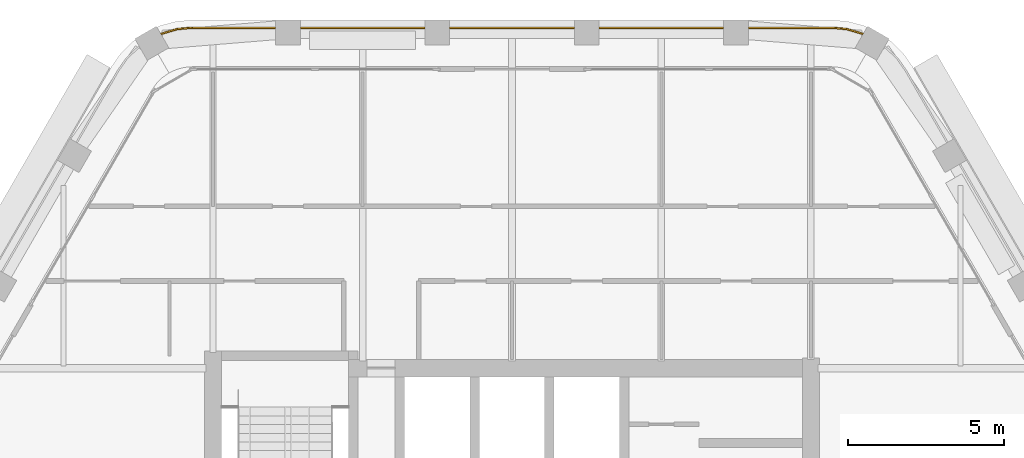
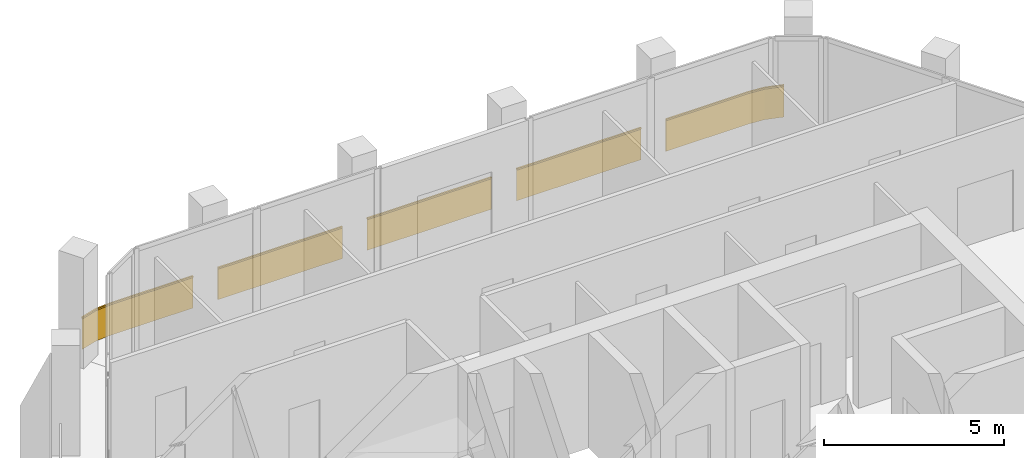
# One storey, part 14 of 14: 1 railing.
"""IFC4 building model written with IfcOpenShell, lengths in metres."""

from ifc_helpers import new_model, si_unit, direction, frame, frame_2d, origin, origin_2d, place, context, subcontext, project, spatial, rectangle, extrude, material, type_object, element, save


model = new_model("IFC4")

# Units and contexts
model_context = context("Model", 3, precision=1e-05, world=origin(), true_north=direction((0.0, 1.0)))
body_context = subcontext(model_context, "Body", "Model", "MODEL_VIEW")
ifc_project = project(units=[si_unit("LENGTHUNIT", "METRE"), si_unit("AREAUNIT", "SQUARE_METRE"), si_unit("VOLUMEUNIT", "CUBIC_METRE"), si_unit("PLANEANGLEUNIT", "RADIAN"), si_unit("MASSUNIT", "GRAM", prefix="KILO")], contexts=[model_context])

# Site, building, storey
site_placement = place(None, origin())
site = spatial("IfcSite", under=ifc_project, at=site_placement, CompositionType="ELEMENT")
building_placement = place(site_placement, origin())
building = spatial("IfcBuilding", under=site, at=building_placement, Name="Kolab Exchange Tower", CompositionType="ELEMENT")
storey_placement = place(building_placement, frame((0.0, 0.0, 242.300048828125)))
storey = spatial("IfcBuildingStorey", under=building, at=storey_placement, Name="L53", CompositionType="ELEMENT", Elevation=242.300048828125)

# Railing
ifc_material = material(Name="Steel S235", Category="steel")
railing_type = type_object("IfcRailingType", Name="GUARD 1100 GLASS BALUSTRADE AND STEEL TOP RAIL", PredefinedType="GUARDRAIL", material=ifc_material)
railing_placement = place(storey_placement, frame((11.280517578125, 20.335205078125, 0.0)))
element("IfcRailing", 1, at=railing_placement, inside=storey, type_object=railing_type, Name="Guard", PredefinedType="GUARDRAIL", context=body_context, shape_type="SweptSolid", body=[
    extrude(rectangle(XDim=0.05, YDim=0.05, at=origin_2d()), frame((0.0, 0.0, 1.0751953125), z_axis=(-0.959212061764, 0.282687496304, 0.0), x_axis=(-0.282687496304, -0.959212061764, 0.0)), (0.0, 0.0, 1.0), 0.557861328125),
    extrude(rectangle(XDim=0.012, YDim=1.05009765625, at=frame_2d((0.0, 0.525146484375))), frame((0.0, 0.0, 0.0), z_axis=(-0.959212061764, 0.282687496304, 0.0), x_axis=(-0.282687496304, -0.959212061764, 0.0)), (0.0, 0.0, 1.0), 0.557861328125),
    extrude(rectangle(XDim=0.05, YDim=0.05, at=origin_2d()), frame((-0.53515625, 0.15771484375, 1.0751953125), z_axis=(-0.996196482496, 0.087135344505, 0.0), x_axis=(-0.087135344505, -0.996196482496, 0.0)), (0.0, 0.0, 1.0), 0.47900390625),
    extrude(rectangle(XDim=0.012, YDim=1.05009765625, at=frame_2d((0.0, 0.525146484375))), frame((-0.53515625, 0.15771484375, 0.0), z_axis=(-0.996196482496, 0.087135344505, 0.0), x_axis=(-0.087135344505, -0.996196482496, 0.0)), (0.0, 0.0, 1.0), 0.47900390625),
    extrude(rectangle(XDim=0.05, YDim=0.05, at=origin_2d()), frame((-1.012451171875, 0.199462890625, 1.0751953125), z_axis=(-1.0, 0.0, 0.0), x_axis=(0.0, -1.0, 0.0)), (0.0, 0.0, 1.0), 2.66796875),
    extrude(rectangle(XDim=0.012, YDim=1.05009765625, at=frame_2d((0.0, 0.525146484375))), frame((-1.012451171875, 0.199462890625, 0.0), z_axis=(-1.0, 0.0, 0.0), x_axis=(0.0, -1.0, 0.0)), (0.0, 0.0, 1.0), 2.66796875),
    extrude(rectangle(XDim=0.05, YDim=0.05, at=origin_2d()), frame((-4.48046875, 0.199462890625, 1.0751953125), z_axis=(-1.0, 0.0, 0.0), x_axis=(0.0, -1.0, 0.0)), (0.0, 0.0, 1.0), 4.0),
    extrude(rectangle(XDim=0.012, YDim=1.05009765625, at=frame_2d((0.0, 0.525146484375))), frame((-4.48046875, 0.199462890625, 0.0), z_axis=(-1.0, 0.0, 0.0), x_axis=(0.0, -1.0, 0.0)), (0.0, 0.0, 1.0), 4.0),
    extrude(rectangle(XDim=0.05, YDim=0.05, at=origin_2d()), frame((-9.280517578125, 0.199462890625, 1.0751953125), z_axis=(-1.0, 0.0, 0.0), x_axis=(0.0, -1.0, 0.0)), (0.0, 0.0, 1.0), 4.0),
    extrude(rectangle(XDim=0.012, YDim=1.05009765625, at=frame_2d((0.0, 0.525146484375))), frame((-9.280517578125, 0.199462890625, 0.0), z_axis=(-1.0, 0.0, 0.0), x_axis=(0.0, -1.0, 0.0)), (0.0, 0.0, 1.0), 4.0),
    extrude(rectangle(XDim=0.05, YDim=0.05, at=origin_2d()), frame((-14.08056640625, 0.199462890625, 1.0751953125), z_axis=(-1.0, 0.0, 0.0), x_axis=(0.0, -1.0, 0.0)), (0.0, 0.0, 1.0), 4.0),
    extrude(rectangle(XDim=0.012, YDim=1.05009765625, at=frame_2d((0.0, 0.525146484375))), frame((-14.08056640625, 0.199462890625, 0.0), z_axis=(-1.0, 0.0, 0.0), x_axis=(0.0, -1.0, 0.0)), (0.0, 0.0, 1.0), 4.0),
    extrude(rectangle(XDim=0.05, YDim=0.05, at=origin_2d()), frame((-18.880615234375, 0.199462890625, 1.0751953125), z_axis=(-1.0, 0.0, 0.0), x_axis=(0.0, -1.0, 0.0)), (0.0, 0.0, 1.0), 2.66796875),
    extrude(rectangle(XDim=0.012, YDim=1.05009765625, at=frame_2d((0.0, 0.525146484375))), frame((-18.880615234375, 0.199462890625, 0.0), z_axis=(-1.0, 0.0, 0.0), x_axis=(0.0, -1.0, 0.0)), (0.0, 0.0, 1.0), 2.66796875),
    extrude(rectangle(XDim=0.05, YDim=0.05, at=origin_2d()), frame((-21.548583984375, 0.199462890625, 1.0751953125), z_axis=(-0.996196482496, -0.087135344505, 0.0), x_axis=(0.087135344505, -0.996196482496, 0.0)), (0.0, 0.0, 1.0), 0.47900390625),
    extrude(rectangle(XDim=0.012, YDim=1.05009765625, at=frame_2d((0.0, 0.525146484375))), frame((-21.548583984375, 0.199462890625, 0.0), z_axis=(-0.996196482496, -0.087135344505, 0.0), x_axis=(0.087135344505, -0.996196482496, 0.0)), (0.0, 0.0, 1.0), 0.47900390625),
    extrude(rectangle(XDim=0.05, YDim=0.05, at=origin_2d()), frame((-22.02587890625, 0.15771484375, 1.0751953125), z_axis=(-0.959212061764, -0.282687496304, 0.0), x_axis=(0.282687496304, -0.959212061764, 0.0)), (0.0, 0.0, 1.0), 0.557861328125),
    extrude(rectangle(XDim=0.012, YDim=1.05009765625, at=frame_2d((0.0, 0.525146484375))), frame((-22.02587890625, 0.15771484375, 0.0), z_axis=(-0.959212061764, -0.282687496304, 0.0), x_axis=(0.282687496304, -0.959212061764, 0.0)), (0.0, 0.0, 1.0), 0.557861328125),
])

save(model, "model.ifc")
